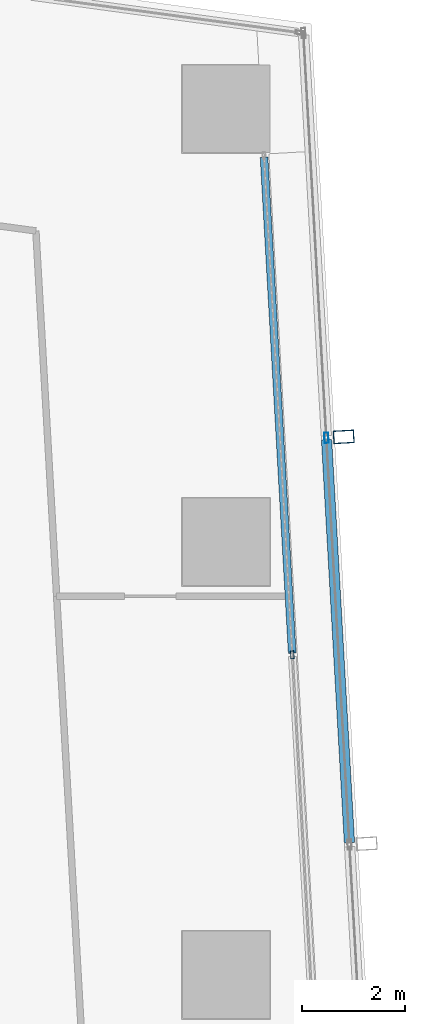
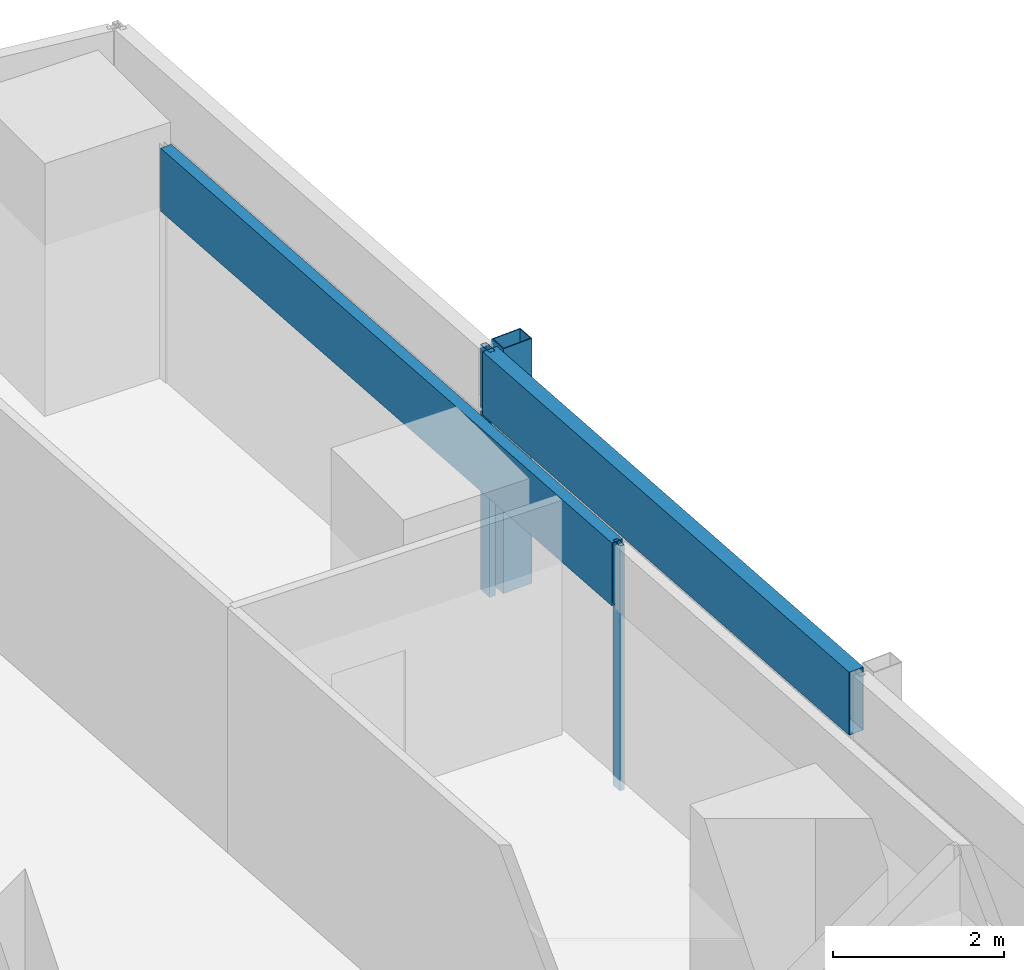
# One storey, part 23 of 39: 5 members, 2 elements without a shape of their own.
"""IFC4 building model written with IfcOpenShell, lengths in metres."""

from ifc_helpers import new_model, si_unit, direction, frame, origin, origin_2d, place, context, subcontext, project, spatial, hollow_rectangle, extrude, material, material_profile, profile_set, type_object, element, aggregate, save


model = new_model("IFC4")

# Units and contexts
model_context = context("Model", 3, precision=1e-05, world=origin(), true_north=direction((0.0, 1.0)))
body_context = subcontext(model_context, "Body", "Model", "MODEL_VIEW")
ifc_project = project(units=[si_unit("LENGTHUNIT", "METRE"), si_unit("AREAUNIT", "SQUARE_METRE"), si_unit("VOLUMEUNIT", "CUBIC_METRE"), si_unit("PLANEANGLEUNIT", "RADIAN"), si_unit("MASSUNIT", "GRAM", prefix="KILO")], contexts=[model_context])

# Site, building, storey
site_placement = place(None, origin())
site = spatial("IfcSite", under=ifc_project, at=site_placement, CompositionType="ELEMENT")
building_placement = place(site_placement, origin())
building = spatial("IfcBuilding", under=site, at=building_placement, Name="Rekha Terrace Tower", CompositionType="ELEMENT")
storey_placement = place(building_placement, frame((0.0, 0.0, 180.199951171875)))
storey = spatial("IfcBuildingStorey", under=building, at=storey_placement, Name="L45", CompositionType="ELEMENT", Elevation=180.199951171875)

# Curtain wall, member
ifc_material_1 = material(Name="Aluminium framing", Category="aluminium")
curtain_wall_type_1 = type_object("IfcCurtainWallType", Name="CW2 double skin outer glazing", PredefinedType="USERDEFINED", material=ifc_material_1)
curtain_wall_1_placement = place(storey_placement, origin())
curtain_wall_1 = element("IfcCurtainWall", 1, at=curtain_wall_1_placement, inside=storey, type_object=curtain_wall_type_1, Name="CW2 double skin outer glazing", ObjectType="DOUBLE SKIN OUTER GLAZING", PredefinedType="USERDEFINED")
ifc_material_2 = material(Name="Steel S355 with fluorocarbon finish", Category="steel")
ifc_material_profile_1 = material_profile(ifc_material_2, hollow_rectangle(XDim=0.25, YDim=0.39990234375, WallThickness=0.012451171875, at=origin_2d()), Name="RHS400x250x12.5")
ifc_profile_set_1 = profile_set([ifc_material_profile_1], Name="Steel S355 with fluorocarbon finish")
member_type_1 = type_object("IfcMemberType", Name="BL1 facade blade RHS 400 x 250", PredefinedType="USERDEFINED", material=ifc_profile_set_1)
member_1_placement = place(storey_placement, frame((61.080078125, 52.4375, 0.0), z_axis=(0.0, 0.0, 1.0), x_axis=(-0.056673619809, 0.998392758797, 0.0)))
member_1 = element("IfcMember", 2, at=member_1_placement, type_object=member_type_1, Name="Facade blade", ObjectType="FACADE BLADE", PredefinedType="USERDEFINED", context=body_context, shape_type="SweptSolid", body=[
    extrude(hollow_rectangle(XDim=0.25, YDim=0.39990234375, WallThickness=0.012451171875, at=origin_2d()), origin(), (0.0, 0.0, 1.0), 3.5),
])

# Curtain wall, members
curtain_wall_type_2 = type_object("IfcCurtainWallType", Name="CW1 double skin inner glazing", PredefinedType="USERDEFINED", material=ifc_material_1)
curtain_wall_2_placement = place(storey_placement, origin())
curtain_wall_2 = element("IfcCurtainWall", 3, at=curtain_wall_2_placement, inside=storey, type_object=curtain_wall_type_2, Name="CW1 double skin inner glazing", ObjectType="DOUBLE SKIN INNER GLAZING", PredefinedType="USERDEFINED")
ifc_material_3 = material(Name="Aluminium mullion section", Category="aluminium")
ifc_material_profile_2 = material_profile(ifc_material_3, hollow_rectangle(XDim=0.06494140625, YDim=0.14990234375, WallThickness=0.00390625, at=origin_2d()), Name="AL RHS 65x150")
ifc_profile_set_2 = profile_set([ifc_material_profile_2], Name="Aluminium mullion section")
member_type_2 = type_object("IfcMemberType", Name="CW1 mullion RHS 65 x 150", PredefinedType="MULLION", material=ifc_profile_set_2)
member_2_placement = place(storey_placement, frame((60.0830078125, 48.209716796875, 0.0), z_axis=(0.0, 0.0, 1.0), x_axis=(-0.998392782918, -0.056673194877, 0.0)))
member_2 = element("IfcMember", 4, at=member_2_placement, type_object=member_type_2, Name="CW1 mullion 3", PredefinedType="MULLION", context=body_context, shape_type="SweptSolid", body=[
    extrude(hollow_rectangle(XDim=0.06494140625, YDim=0.14990234375, WallThickness=0.00390625, at=origin_2d()), origin(), (0.0, 0.0, 1.0), 3.5),
])
ifc_material_4 = material(Name="Insulated aluminium spandrel box", Category="aluminium")
ifc_material_profile_3 = material_profile(ifc_material_4, hollow_rectangle(XDim=0.14990234375, YDim=0.89990234375, WallThickness=0.0029296875, at=origin_2d()), Name="AL SPANDREL BOX 150x900")
ifc_profile_set_3 = profile_set([ifc_material_profile_3], Name="Insulated aluminium spandrel box")
member_type_3 = type_object("IfcMemberType", Name="CW1 spandrel transom 150 x 900", PredefinedType="USERDEFINED", material=ifc_profile_set_3)
member_3_placement = place(storey_placement, frame((60.081298828125, 48.2421875, 3.050048828125), z_axis=(-0.056668701652, 0.998393037963, 0.0), x_axis=(-0.998393037963, -0.056668701652, 0.0)))
member_3 = element("IfcMember", 5, at=member_3_placement, type_object=member_type_3, Name="CW1 spandrel transom 3", ObjectType="TRANSOM", PredefinedType="USERDEFINED", context=body_context, shape_type="SweptSolid", body=[
    extrude(hollow_rectangle(XDim=0.14990234375, YDim=0.89990234375, WallThickness=0.0029296875, at=origin_2d()), origin(), (0.0, 0.0, 1.0), 9.633056640625),
])
aggregate(curtain_wall_2, [member_2, member_3])

# Member
ifc_material_profile_4 = material_profile(ifc_material_3, hollow_rectangle(XDim=0.080078125, YDim=0.199951171875, WallThickness=0.00390625, at=origin_2d()), Name="AL RHS 80x200")
ifc_profile_set_4 = profile_set([ifc_material_profile_4], Name="Aluminium mullion section")
member_type_4 = type_object("IfcMemberType", Name="CW2 mullion RHS 80 x 200", PredefinedType="MULLION", material=ifc_profile_set_4)
member_4_placement = place(storey_placement, frame((60.74560546875, 52.41845703125, 0.0), z_axis=(0.0, 0.0, 1.0), x_axis=(-0.998392782919, -0.05667319486, 0.0)))
member_4 = element("IfcMember", 6, at=member_4_placement, type_object=member_type_4, Name="CW2 mullion 4", PredefinedType="MULLION", context=body_context, shape_type="SweptSolid", body=[
    extrude(hollow_rectangle(XDim=0.080078125, YDim=0.199951171875, WallThickness=0.00390625, at=origin_2d()), origin(), (0.0, 0.0, 1.0), 3.5),
])

ifc_material_profile_5 = material_profile(ifc_material_4, hollow_rectangle(XDim=0.199951171875, YDim=0.89990234375, WallThickness=0.0029296875, at=origin_2d()), Name="AL SPANDREL BOX 200x900")
ifc_profile_set_5 = profile_set([ifc_material_profile_5], Name="Insulated aluminium spandrel box")
member_type_5 = type_object("IfcMemberType", Name="CW2 spandrel transom 200 x 900", PredefinedType="USERDEFINED", material=ifc_profile_set_5)
member_5_placement = place(storey_placement, frame((61.19140625, 44.567626953125, 3.050048828125), z_axis=(-0.056702299999, 0.998391130357, 0.0), x_axis=(-0.998391130357, -0.056702299999, 0.0)))
member_5 = element("IfcMember", 7, at=member_5_placement, type_object=member_type_5, Name="CW2 spandrel transom 3", ObjectType="TRANSOM", PredefinedType="USERDEFINED", context=body_context, shape_type="SweptSolid", body=[
    extrude(hollow_rectangle(XDim=0.199951171875, YDim=0.89990234375, WallThickness=0.0029296875, at=origin_2d()), origin(), (0.0, 0.0, 1.0), 7.823486328125),
])

aggregate(curtain_wall_1, [member_4, member_5, member_1])

save(model, "model.ifc")
